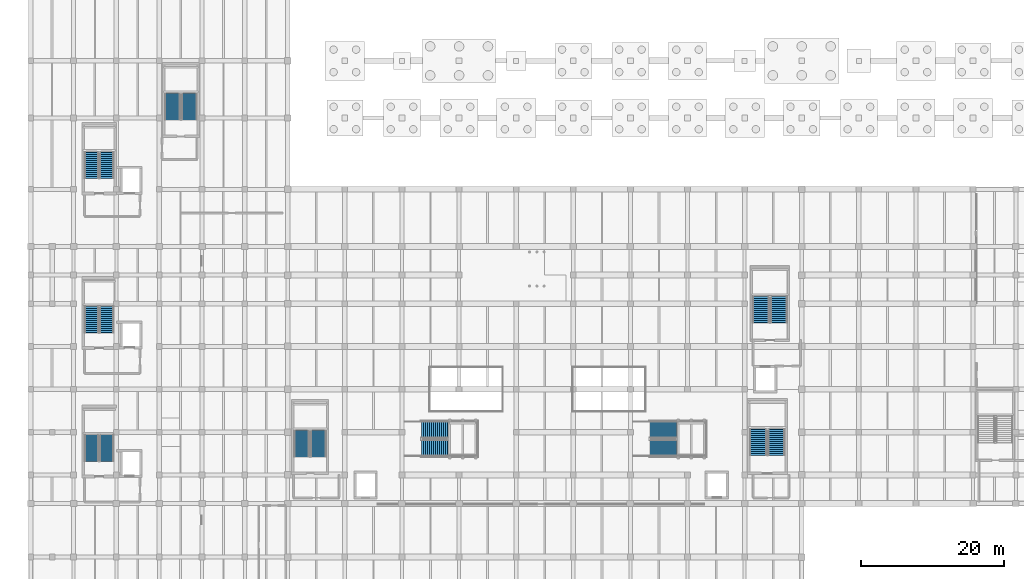
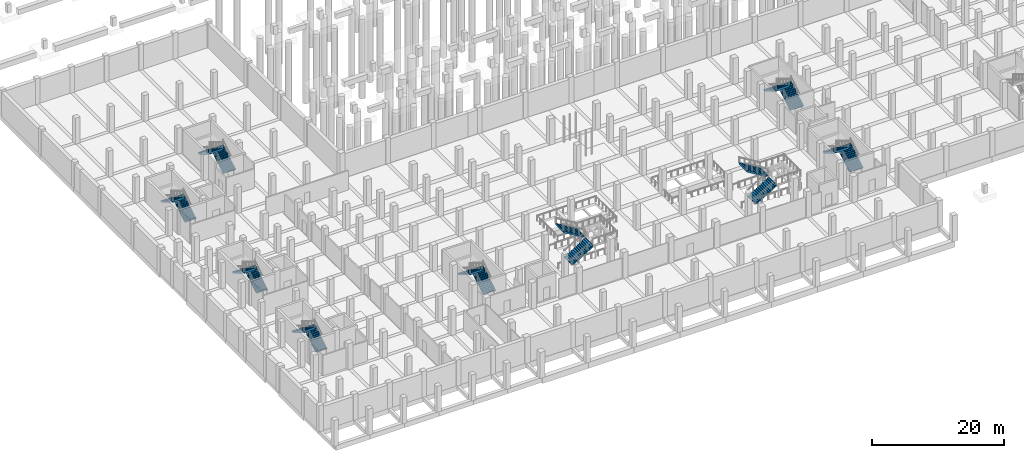
# One storey, part 26 of 36: 18 stair flights, 9 elements without a shape of their own.
"""IFC4 building model written with IfcOpenShell, lengths in metres."""

from ifc_helpers import new_model, si_unit, direction, frame, origin, place, context, subcontext, project, spatial, polyline, outline, extrude, material, type_object, element, aggregate, save


model = new_model("IFC4")

# Units and contexts
model_context = context("Model", 3, precision=1e-05, world=origin(), true_north=direction((0.0, 1.0)))
body_context = subcontext(model_context, "Body", "Model", "MODEL_VIEW")
ifc_project = project(units=[si_unit("LENGTHUNIT", "METRE"), si_unit("AREAUNIT", "SQUARE_METRE"), si_unit("VOLUMEUNIT", "CUBIC_METRE"), si_unit("PLANEANGLEUNIT", "RADIAN"), si_unit("MASSUNIT", "GRAM", prefix="KILO")], contexts=[model_context])

# Site, building, storey
site_placement = place(None, origin())
site = spatial("IfcSite", under=ifc_project, at=site_placement, CompositionType="ELEMENT")
building_placement = place(site_placement, origin())
building = spatial("IfcBuilding", under=site, at=building_placement, Name="Verrall Gate Interchange", CompositionType="ELEMENT")
storey_placement = place(building_placement, frame((0.0, 0.0, -4.800048828125)))
storey = spatial("IfcBuildingStorey", under=building, at=storey_placement, Name="B1", CompositionType="ELEMENT", Elevation=-4.800048828125)

# Stair, stair flights
ifc_material_1 = material(Name="Concrete CSA A23.1 40 MPa (Class N)", Category="concrete")
stair_type_1 = type_object("IfcStairType", Name="ST-T02 Straight-Flight Return Exit Stair W1950 H4800", PredefinedType="STRAIGHT_RUN_STAIR", material=ifc_material_1)
stair_1_placement = place(storey_placement, origin())
stair_1 = element("IfcStair", 1, at=stair_1_placement, inside=storey, type_object=stair_type_1, Name="B1 ST-01", PredefinedType="STRAIGHT_RUN_STAIR")
ifc_material_2 = material(Name="Concrete CSA A23.1 40 MPa (Class N)", Category="concrete")
stair_flight_type_1 = type_object("IfcStairFlightType", Name="SF-T02 Concrete Stair Flight W1950 R171 N28", PredefinedType="STRAIGHT", material=ifc_material_2)
stair_flight_1_placement = place(storey_placement, frame((10.675048828125, 17.949951171875, 0.0), z_axis=(0.0, 0.0, 1.0), x_axis=(0.0, 1.0, 0.0)))
stair_flight_1 = element("IfcStairFlight", 2, at=stair_flight_1_placement, type_object=stair_flight_type_1, Name="ST-01 flight 1", NumberOfRisers=14, NumberOfTreads=13, PredefinedType="STRAIGHT", RiserHeight=0.171428571, TreadLength=0.28, context=body_context, shape_type="SweptSolid", body=[
    extrude(outline(polyline([(-0.034912109375, -0.02001953125), (-0.034912109375, 0.0), (0.0, 0.0), (0.0, 0.17138671875), (0.280029296875, 0.17138671875), (0.280029296875, 0.3427734375), (0.56005859375, 0.3427734375), (0.56005859375, 0.514404296875), (0.840087890625, 0.514404296875), (0.840087890625, 0.685791015625), (1.1201171875, 0.685791015625), (1.1201171875, 0.857177734375), (1.39990234375, 0.857177734375), (1.39990234375, 1.028564453125), (1.679931640625, 1.028564453125), (1.679931640625, 1.199951171875), (1.9599609375, 1.199951171875), (1.9599609375, 1.371337890625), (2.239990234375, 1.371337890625), (2.239990234375, 1.54296875), (2.52001953125, 1.54296875), (2.52001953125, 1.71435546875), (2.800048828125, 1.71435546875), (2.800048828125, 1.8857421875), (3.080078125, 1.8857421875), (3.080078125, 2.05712890625), (3.360107421875, 2.05712890625), (3.360107421875, 2.228515625), (3.639892578125, 2.228515625), (3.639892578125, 2.39990234375), (3.675048828125, 2.39990234375), (3.675048828125, 1.994140625), (0.350341796875, -0.02001953125), (-0.034912109375, -0.02001953125)])), frame((0.0, 0.97509765625, 0.0), z_axis=(0.0, -1.0, 0.0), x_axis=(1.0, 0.0, 0.0)), (0.0, 0.0, 1.0), 1.949951171875),
])
stair_flight_2_placement = place(storey_placement, frame((8.52490234375, 21.590087890625, 2.400146484375), z_axis=(0.0, 0.0, 1.0), x_axis=(0.0, -1.0, 0.0)))
stair_flight_2 = element("IfcStairFlight", 3, at=stair_flight_2_placement, type_object=stair_flight_type_1, Name="ST-01 flight 2", NumberOfRisers=14, NumberOfTreads=13, PredefinedType="STRAIGHT", RiserHeight=0.171428571, TreadLength=0.28, context=body_context, shape_type="SweptSolid", body=[
    extrude(outline(polyline([(-0.034912109375, -0.02001953125), (-0.034912109375, 0.0), (0.0, 0.0), (0.0, 0.17138671875), (0.280029296875, 0.17138671875), (0.280029296875, 0.3427734375), (0.56005859375, 0.3427734375), (0.56005859375, 0.514404296875), (0.840087890625, 0.514404296875), (0.840087890625, 0.685791015625), (1.1201171875, 0.685791015625), (1.1201171875, 0.857177734375), (1.39990234375, 0.857177734375), (1.39990234375, 1.028564453125), (1.679931640625, 1.028564453125), (1.679931640625, 1.199951171875), (1.9599609375, 1.199951171875), (1.9599609375, 1.371337890625), (2.239990234375, 1.371337890625), (2.239990234375, 1.54296875), (2.52001953125, 1.54296875), (2.52001953125, 1.71435546875), (2.800048828125, 1.71435546875), (2.800048828125, 1.8857421875), (3.080078125, 1.8857421875), (3.080078125, 2.05712890625), (3.360107421875, 2.05712890625), (3.360107421875, 2.228515625), (3.639892578125, 2.228515625), (3.639892578125, 2.39990234375), (3.675048828125, 2.39990234375), (3.675048828125, 1.994140625), (0.350341796875, -0.02001953125), (-0.034912109375, -0.02001953125)])), frame((0.0, 0.97509765625, 0.0), z_axis=(0.0, -1.0, 0.0), x_axis=(1.0, 0.0, 0.0)), (0.0, 0.0, 1.0), 1.949951171875),
])
aggregate(stair_1, [stair_flight_1, stair_flight_2])

stair_2_placement = place(storey_placement, origin())
stair_2 = element("IfcStair", 4, at=stair_2_placement, inside=storey, type_object=stair_type_1, Name="B1 ST-02", PredefinedType="STRAIGHT_RUN_STAIR")
stair_flight_3_placement = place(storey_placement, frame((10.675048828125, 35.949951171875, 0.0), z_axis=(0.0, 0.0, 1.0), x_axis=(0.0, 1.0, 0.0)))
stair_flight_3 = element("IfcStairFlight", 5, at=stair_flight_3_placement, type_object=stair_flight_type_1, Name="ST-02 flight 1", NumberOfRisers=14, NumberOfTreads=13, PredefinedType="STRAIGHT", RiserHeight=0.171428571, TreadLength=0.28, context=body_context, shape_type="SweptSolid", body=[
    extrude(outline(polyline([(-0.034912109375, -0.02001953125), (-0.034912109375, 0.0), (0.0, 0.0), (0.0, 0.17138671875), (0.280029296875, 0.17138671875), (0.280029296875, 0.3427734375), (0.56005859375, 0.3427734375), (0.56005859375, 0.514404296875), (0.840087890625, 0.514404296875), (0.840087890625, 0.685791015625), (1.1201171875, 0.685791015625), (1.1201171875, 0.857177734375), (1.39990234375, 0.857177734375), (1.39990234375, 1.028564453125), (1.679931640625, 1.028564453125), (1.679931640625, 1.199951171875), (1.9599609375, 1.199951171875), (1.9599609375, 1.371337890625), (2.239990234375, 1.371337890625), (2.239990234375, 1.54296875), (2.52001953125, 1.54296875), (2.52001953125, 1.71435546875), (2.800048828125, 1.71435546875), (2.800048828125, 1.8857421875), (3.080078125, 1.8857421875), (3.080078125, 2.05712890625), (3.360107421875, 2.05712890625), (3.360107421875, 2.228515625), (3.639892578125, 2.228515625), (3.639892578125, 2.39990234375), (3.675048828125, 2.39990234375), (3.675048828125, 1.994140625), (0.350341796875, -0.02001953125), (-0.034912109375, -0.02001953125)])), frame((0.0, 0.97509765625, 0.0), z_axis=(0.0, -1.0, 0.0), x_axis=(1.0, 0.0, 0.0)), (0.0, 0.0, 1.0), 1.949951171875),
])
stair_flight_4_placement = place(storey_placement, frame((8.52490234375, 39.590087890625, 2.400146484375), z_axis=(0.0, 0.0, 1.0), x_axis=(0.0, -1.0, 0.0)))
stair_flight_4 = element("IfcStairFlight", 6, at=stair_flight_4_placement, type_object=stair_flight_type_1, Name="ST-02 flight 2", NumberOfRisers=14, NumberOfTreads=13, PredefinedType="STRAIGHT", RiserHeight=0.171428571, TreadLength=0.28, context=body_context, shape_type="SweptSolid", body=[
    extrude(outline(polyline([(-0.034912109375, -0.02001953125), (-0.034912109375, 0.0), (0.0, 0.0), (0.0, 0.17138671875), (0.280029296875, 0.17138671875), (0.280029296875, 0.3427734375), (0.56005859375, 0.3427734375), (0.56005859375, 0.514404296875), (0.840087890625, 0.514404296875), (0.840087890625, 0.685791015625), (1.1201171875, 0.685791015625), (1.1201171875, 0.857177734375), (1.39990234375, 0.857177734375), (1.39990234375, 1.028564453125), (1.679931640625, 1.028564453125), (1.679931640625, 1.199951171875), (1.9599609375, 1.199951171875), (1.9599609375, 1.371337890625), (2.239990234375, 1.371337890625), (2.239990234375, 1.54296875), (2.52001953125, 1.54296875), (2.52001953125, 1.71435546875), (2.800048828125, 1.71435546875), (2.800048828125, 1.8857421875), (3.080078125, 1.8857421875), (3.080078125, 2.05712890625), (3.360107421875, 2.05712890625), (3.360107421875, 2.228515625), (3.639892578125, 2.228515625), (3.639892578125, 2.39990234375), (3.675048828125, 2.39990234375), (3.675048828125, 1.994140625), (0.350341796875, -0.02001953125), (-0.034912109375, -0.02001953125)])), frame((0.0, 0.97509765625, 0.0), z_axis=(0.0, -1.0, 0.0), x_axis=(1.0, 0.0, 0.0)), (0.0, 0.0, 1.0), 1.949951171875),
])
aggregate(stair_2, [stair_flight_3, stair_flight_4])

stair_3_placement = place(storey_placement, origin())
stair_3 = element("IfcStair", 7, at=stair_3_placement, inside=storey, type_object=stair_type_1, Name="B1 ST-03", PredefinedType="STRAIGHT_RUN_STAIR")
stair_flight_5_placement = place(storey_placement, frame((10.675048828125, 57.550048828125, 0.0), z_axis=(0.0, 0.0, 1.0), x_axis=(0.0, 1.0, 0.0)))
stair_flight_5 = element("IfcStairFlight", 8, at=stair_flight_5_placement, type_object=stair_flight_type_1, Name="ST-03 flight 1", NumberOfRisers=14, NumberOfTreads=13, PredefinedType="STRAIGHT", RiserHeight=0.171428571, TreadLength=0.28, context=body_context, shape_type="SweptSolid", body=[
    extrude(outline(polyline([(-0.034912109375, -0.02001953125), (-0.034912109375, 0.0), (0.0, 0.0), (0.0, 0.17138671875), (0.280029296875, 0.17138671875), (0.280029296875, 0.3427734375), (0.56005859375, 0.3427734375), (0.56005859375, 0.514404296875), (0.840087890625, 0.514404296875), (0.840087890625, 0.685791015625), (1.1201171875, 0.685791015625), (1.1201171875, 0.857177734375), (1.39990234375, 0.857177734375), (1.39990234375, 1.028564453125), (1.679931640625, 1.028564453125), (1.679931640625, 1.199951171875), (1.9599609375, 1.199951171875), (1.9599609375, 1.371337890625), (2.239990234375, 1.371337890625), (2.239990234375, 1.54296875), (2.52001953125, 1.54296875), (2.52001953125, 1.71435546875), (2.800048828125, 1.71435546875), (2.800048828125, 1.8857421875), (3.080078125, 1.8857421875), (3.080078125, 2.05712890625), (3.360107421875, 2.05712890625), (3.360107421875, 2.228515625), (3.639892578125, 2.228515625), (3.639892578125, 2.39990234375), (3.675048828125, 2.39990234375), (3.675048828125, 1.994140625), (0.350341796875, -0.02001953125), (-0.034912109375, -0.02001953125)])), frame((0.0, 0.97509765625, 0.0), z_axis=(0.0, -1.0, 0.0), x_axis=(1.0, 0.0, 0.0)), (0.0, 0.0, 1.0), 1.949951171875),
])
stair_flight_6_placement = place(storey_placement, frame((8.52490234375, 61.18994140625, 2.400146484375), z_axis=(0.0, 0.0, 1.0), x_axis=(0.0, -1.0, 0.0)))
stair_flight_6 = element("IfcStairFlight", 9, at=stair_flight_6_placement, type_object=stair_flight_type_1, Name="ST-03 flight 2", NumberOfRisers=14, NumberOfTreads=13, PredefinedType="STRAIGHT", RiserHeight=0.171428571, TreadLength=0.28, context=body_context, shape_type="SweptSolid", body=[
    extrude(outline(polyline([(-0.034912109375, -0.02001953125), (-0.034912109375, 0.0), (0.0, 0.0), (0.0, 0.17138671875), (0.280029296875, 0.17138671875), (0.280029296875, 0.3427734375), (0.56005859375, 0.3427734375), (0.56005859375, 0.514404296875), (0.840087890625, 0.514404296875), (0.840087890625, 0.685791015625), (1.1201171875, 0.685791015625), (1.1201171875, 0.857177734375), (1.39990234375, 0.857177734375), (1.39990234375, 1.028564453125), (1.679931640625, 1.028564453125), (1.679931640625, 1.199951171875), (1.9599609375, 1.199951171875), (1.9599609375, 1.371337890625), (2.239990234375, 1.371337890625), (2.239990234375, 1.54296875), (2.52001953125, 1.54296875), (2.52001953125, 1.71435546875), (2.800048828125, 1.71435546875), (2.800048828125, 1.8857421875), (3.080078125, 1.8857421875), (3.080078125, 2.05712890625), (3.360107421875, 2.05712890625), (3.360107421875, 2.228515625), (3.639892578125, 2.228515625), (3.639892578125, 2.39990234375), (3.675048828125, 2.39990234375), (3.675048828125, 1.994140625), (0.350341796875, -0.02001953125), (-0.034912109375, -0.02001953125)])), frame((0.0, 0.97509765625, 0.0), z_axis=(0.0, -1.0, 0.0), x_axis=(1.0, 0.0, 0.0)), (0.0, 0.0, 1.0), 1.949951171875),
])
aggregate(stair_3, [stair_flight_5, stair_flight_6])

ifc_material_3 = material(Name="Concrete CSA A23.1 40 MPa (Class N)", Category="concrete")
stair_type_2 = type_object("IfcStairType", Name="ST-T08 Straight-Flight Return Exit Stair W2150 H4800", PredefinedType="STRAIGHT_RUN_STAIR", material=ifc_material_3)
stair_4_placement = place(storey_placement, origin())
stair_4 = element("IfcStair", 10, at=stair_4_placement, inside=storey, type_object=stair_type_2, Name="B1 ST-04", PredefinedType="STRAIGHT_RUN_STAIR")
ifc_material_4 = material(Name="Concrete CSA A23.1 40 MPa (Class N)", Category="concrete")
stair_flight_type_2 = type_object("IfcStairFlightType", Name="SF-T08 Concrete Stair Flight W2150 R171 N28", PredefinedType="STRAIGHT", material=ifc_material_4)
stair_flight_7_placement = place(storey_placement, frame((22.22509765625, 65.75, 0.0), z_axis=(0.0, 0.0, 1.0), x_axis=(0.0, 1.0, 0.0)))
stair_flight_7 = element("IfcStairFlight", 11, at=stair_flight_7_placement, type_object=stair_flight_type_2, Name="ST-04 flight 1", NumberOfRisers=14, NumberOfTreads=13, PredefinedType="STRAIGHT", RiserHeight=0.171428571, TreadLength=0.28, context=body_context, shape_type="SweptSolid", body=[
    extrude(outline(polyline([(-0.034912109375, -0.02001953125), (-0.034912109375, 0.0), (0.0, 0.0), (0.0, 0.17138671875), (0.280029296875, 0.17138671875), (0.280029296875, 0.3427734375), (0.56005859375, 0.3427734375), (0.56005859375, 0.514404296875), (0.840087890625, 0.514404296875), (0.840087890625, 0.685791015625), (1.1201171875, 0.685791015625), (1.1201171875, 0.857177734375), (1.39990234375, 0.857177734375), (1.39990234375, 1.028564453125), (1.679931640625, 1.028564453125), (1.679931640625, 1.199951171875), (1.9599609375, 1.199951171875), (1.9599609375, 1.371337890625), (2.239990234375, 1.371337890625), (2.239990234375, 1.54296875), (2.52001953125, 1.54296875), (2.52001953125, 1.71435546875), (2.800048828125, 1.71435546875), (2.800048828125, 1.8857421875), (3.080078125, 1.8857421875), (3.080078125, 2.05712890625), (3.360107421875, 2.05712890625), (3.360107421875, 2.228515625), (3.639892578125, 2.228515625), (3.639892578125, 2.39990234375), (3.675048828125, 2.39990234375), (3.675048828125, 1.994140625), (0.350341796875, -0.02001953125), (-0.034912109375, -0.02001953125)])), frame((0.0, 1.074951171875, 0.0), z_axis=(0.0, -1.0, 0.0), x_axis=(1.0, 0.0, 0.0)), (0.0, 0.0, 1.0), 2.14990234375),
])
stair_flight_8_placement = place(storey_placement, frame((19.875, 69.389892578125, 2.400146484375), z_axis=(0.0, 0.0, 1.0), x_axis=(0.0, -1.0, 0.0)))
stair_flight_8 = element("IfcStairFlight", 12, at=stair_flight_8_placement, type_object=stair_flight_type_2, Name="ST-04 flight 2", NumberOfRisers=14, NumberOfTreads=13, PredefinedType="STRAIGHT", RiserHeight=0.171428571, TreadLength=0.28, context=body_context, shape_type="SweptSolid", body=[
    extrude(outline(polyline([(-0.034912109375, -0.02001953125), (-0.034912109375, 0.0), (0.0, 0.0), (0.0, 0.17138671875), (0.280029296875, 0.17138671875), (0.280029296875, 0.3427734375), (0.56005859375, 0.3427734375), (0.56005859375, 0.514404296875), (0.840087890625, 0.514404296875), (0.840087890625, 0.685791015625), (1.1201171875, 0.685791015625), (1.1201171875, 0.857177734375), (1.39990234375, 0.857177734375), (1.39990234375, 1.028564453125), (1.679931640625, 1.028564453125), (1.679931640625, 1.199951171875), (1.9599609375, 1.199951171875), (1.9599609375, 1.371337890625), (2.239990234375, 1.371337890625), (2.239990234375, 1.54296875), (2.52001953125, 1.54296875), (2.52001953125, 1.71435546875), (2.800048828125, 1.71435546875), (2.800048828125, 1.8857421875), (3.080078125, 1.8857421875), (3.080078125, 2.05712890625), (3.360107421875, 2.05712890625), (3.360107421875, 2.228515625), (3.639892578125, 2.228515625), (3.639892578125, 2.39990234375), (3.675048828125, 2.39990234375), (3.675048828125, 1.994140625), (0.350341796875, -0.02001953125), (-0.034912109375, -0.02001953125)])), frame((0.0, 1.074951171875, 0.0), z_axis=(0.0, -1.0, 0.0), x_axis=(1.0, 0.0, 0.0)), (0.0, 0.0, 1.0), 2.14990234375),
])
aggregate(stair_4, [stair_flight_7, stair_flight_8])

stair_5_placement = place(storey_placement, origin())
stair_5 = element("IfcStair", 13, at=stair_5_placement, inside=storey, type_object=stair_type_2, Name="B1 ST-05", PredefinedType="STRAIGHT_RUN_STAIR")
stair_flight_9_placement = place(storey_placement, frame((40.324951171875, 18.550048828125, 0.0), z_axis=(0.0, 0.0, 1.0), x_axis=(0.0, 1.0, 0.0)))
stair_flight_9 = element("IfcStairFlight", 14, at=stair_flight_9_placement, type_object=stair_flight_type_2, Name="ST-05 flight 1", NumberOfRisers=14, NumberOfTreads=13, PredefinedType="STRAIGHT", RiserHeight=0.171428571, TreadLength=0.28, context=body_context, shape_type="SweptSolid", body=[
    extrude(outline(polyline([(-0.034912109375, -0.02001953125), (-0.034912109375, 0.0), (0.0, 0.0), (0.0, 0.17138671875), (0.280029296875, 0.17138671875), (0.280029296875, 0.3427734375), (0.56005859375, 0.3427734375), (0.56005859375, 0.514404296875), (0.840087890625, 0.514404296875), (0.840087890625, 0.685791015625), (1.1201171875, 0.685791015625), (1.1201171875, 0.857177734375), (1.39990234375, 0.857177734375), (1.39990234375, 1.028564453125), (1.679931640625, 1.028564453125), (1.679931640625, 1.199951171875), (1.9599609375, 1.199951171875), (1.9599609375, 1.371337890625), (2.239990234375, 1.371337890625), (2.239990234375, 1.54296875), (2.52001953125, 1.54296875), (2.52001953125, 1.71435546875), (2.800048828125, 1.71435546875), (2.800048828125, 1.8857421875), (3.080078125, 1.8857421875), (3.080078125, 2.05712890625), (3.360107421875, 2.05712890625), (3.360107421875, 2.228515625), (3.639892578125, 2.228515625), (3.639892578125, 2.39990234375), (3.675048828125, 2.39990234375), (3.675048828125, 1.994140625), (0.350341796875, -0.02001953125), (-0.034912109375, -0.02001953125)])), frame((0.0, 1.074951171875, 0.0), z_axis=(0.0, -1.0, 0.0), x_axis=(1.0, 0.0, 0.0)), (0.0, 0.0, 1.0), 2.14990234375),
])
stair_flight_10_placement = place(storey_placement, frame((37.97509765625, 22.18994140625, 2.400146484375), z_axis=(0.0, 0.0, 1.0), x_axis=(0.0, -1.0, 0.0)))
stair_flight_10 = element("IfcStairFlight", 15, at=stair_flight_10_placement, type_object=stair_flight_type_2, Name="ST-05 flight 2", NumberOfRisers=14, NumberOfTreads=13, PredefinedType="STRAIGHT", RiserHeight=0.171428571, TreadLength=0.28, context=body_context, shape_type="SweptSolid", body=[
    extrude(outline(polyline([(-0.034912109375, -0.02001953125), (-0.034912109375, 0.0), (0.0, 0.0), (0.0, 0.17138671875), (0.280029296875, 0.17138671875), (0.280029296875, 0.3427734375), (0.56005859375, 0.3427734375), (0.56005859375, 0.514404296875), (0.840087890625, 0.514404296875), (0.840087890625, 0.685791015625), (1.1201171875, 0.685791015625), (1.1201171875, 0.857177734375), (1.39990234375, 0.857177734375), (1.39990234375, 1.028564453125), (1.679931640625, 1.028564453125), (1.679931640625, 1.199951171875), (1.9599609375, 1.199951171875), (1.9599609375, 1.371337890625), (2.239990234375, 1.371337890625), (2.239990234375, 1.54296875), (2.52001953125, 1.54296875), (2.52001953125, 1.71435546875), (2.800048828125, 1.71435546875), (2.800048828125, 1.8857421875), (3.080078125, 1.8857421875), (3.080078125, 2.05712890625), (3.360107421875, 2.05712890625), (3.360107421875, 2.228515625), (3.639892578125, 2.228515625), (3.639892578125, 2.39990234375), (3.675048828125, 2.39990234375), (3.675048828125, 1.994140625), (0.350341796875, -0.02001953125), (-0.034912109375, -0.02001953125)])), frame((0.0, 1.074951171875, 0.0), z_axis=(0.0, -1.0, 0.0), x_axis=(1.0, 0.0, 0.0)), (0.0, 0.0, 1.0), 2.14990234375),
])
aggregate(stair_5, [stair_flight_9, stair_flight_10])

ifc_material_5 = material(Name="Concrete CSA A23.1 40 MPa (Class N)", Category="concrete")
stair_type_3 = type_object("IfcStairType", Name="ST-T12 Straight-Flight Return Exit Stair W2350 H4800", PredefinedType="STRAIGHT_RUN_STAIR", material=ifc_material_5)
stair_6_placement = place(storey_placement, origin())
stair_6 = element("IfcStair", 16, at=stair_6_placement, inside=storey, type_object=stair_type_3, Name="B1 ST-06", PredefinedType="STRAIGHT_RUN_STAIR")
ifc_material_6 = material(Name="Concrete CSA A23.1 40 MPa (Class N)", Category="concrete")
stair_flight_type_3 = type_object("IfcStairFlightType", Name="SF-T12 Concrete Stair Flight W2350 R171 N28", PredefinedType="STRAIGHT", material=ifc_material_6)
stair_flight_11_placement = place(storey_placement, frame((104.465087890625, 18.75, 0.0), z_axis=(0.0, 0.0, 1.0), x_axis=(0.0, 1.0, 0.0)))
stair_flight_11 = element("IfcStairFlight", 17, at=stair_flight_11_placement, type_object=stair_flight_type_3, Name="ST-06 flight 1", NumberOfRisers=14, NumberOfTreads=13, PredefinedType="STRAIGHT", RiserHeight=0.171428571, TreadLength=0.28, context=body_context, shape_type="SweptSolid", body=[
    extrude(outline(polyline([(-0.034912109375, -0.02001953125), (-0.034912109375, 0.0), (0.0, 0.0), (0.0, 0.17138671875), (0.280029296875, 0.17138671875), (0.280029296875, 0.3427734375), (0.56005859375, 0.3427734375), (0.56005859375, 0.514404296875), (0.840087890625, 0.514404296875), (0.840087890625, 0.685791015625), (1.1201171875, 0.685791015625), (1.1201171875, 0.857177734375), (1.39990234375, 0.857177734375), (1.39990234375, 1.028564453125), (1.679931640625, 1.028564453125), (1.679931640625, 1.199951171875), (1.9599609375, 1.199951171875), (1.9599609375, 1.371337890625), (2.239990234375, 1.371337890625), (2.239990234375, 1.54296875), (2.52001953125, 1.54296875), (2.52001953125, 1.71435546875), (2.800048828125, 1.71435546875), (2.800048828125, 1.8857421875), (3.080078125, 1.8857421875), (3.080078125, 2.05712890625), (3.360107421875, 2.05712890625), (3.360107421875, 2.228515625), (3.639892578125, 2.228515625), (3.639892578125, 2.39990234375), (3.675048828125, 2.39990234375), (3.675048828125, 1.994140625), (0.350341796875, -0.02001953125), (-0.034912109375, -0.02001953125)])), frame((0.0, 1.175048828125, 0.0), z_axis=(0.0, -1.0, 0.0), x_axis=(1.0, 0.0, 0.0)), (0.0, 0.0, 1.0), 2.35009765625),
])
stair_flight_12_placement = place(storey_placement, frame((101.9150390625, 22.389892578125, 2.400146484375), z_axis=(0.0, 0.0, 1.0), x_axis=(0.0, -1.0, 0.0)))
stair_flight_12 = element("IfcStairFlight", 18, at=stair_flight_12_placement, type_object=stair_flight_type_3, Name="ST-06 flight 2", NumberOfRisers=14, NumberOfTreads=13, PredefinedType="STRAIGHT", RiserHeight=0.171428571, TreadLength=0.28, context=body_context, shape_type="SweptSolid", body=[
    extrude(outline(polyline([(-0.034912109375, -0.02001953125), (-0.034912109375, 0.0), (0.0, 0.0), (0.0, 0.17138671875), (0.280029296875, 0.17138671875), (0.280029296875, 0.3427734375), (0.56005859375, 0.3427734375), (0.56005859375, 0.514404296875), (0.840087890625, 0.514404296875), (0.840087890625, 0.685791015625), (1.1201171875, 0.685791015625), (1.1201171875, 0.857177734375), (1.39990234375, 0.857177734375), (1.39990234375, 1.028564453125), (1.679931640625, 1.028564453125), (1.679931640625, 1.199951171875), (1.9599609375, 1.199951171875), (1.9599609375, 1.371337890625), (2.239990234375, 1.371337890625), (2.239990234375, 1.54296875), (2.52001953125, 1.54296875), (2.52001953125, 1.71435546875), (2.800048828125, 1.71435546875), (2.800048828125, 1.8857421875), (3.080078125, 1.8857421875), (3.080078125, 2.05712890625), (3.360107421875, 2.05712890625), (3.360107421875, 2.228515625), (3.639892578125, 2.228515625), (3.639892578125, 2.39990234375), (3.675048828125, 2.39990234375), (3.675048828125, 1.994140625), (0.350341796875, -0.02001953125), (-0.034912109375, -0.02001953125)])), frame((0.0, 1.175048828125, 0.0), z_axis=(0.0, -1.0, 0.0), x_axis=(1.0, 0.0, 0.0)), (0.0, 0.0, 1.0), 2.35009765625),
])
aggregate(stair_6, [stair_flight_11, stair_flight_12])

stair_7_placement = place(storey_placement, origin())
stair_7 = element("IfcStair", 19, at=stair_7_placement, inside=storey, type_object=stair_type_3, Name="B1 ST-07", PredefinedType="STRAIGHT_RUN_STAIR")
stair_flight_13_placement = place(storey_placement, frame((104.824951171875, 37.35009765625, 0.0), z_axis=(0.0, 0.0, 1.0), x_axis=(0.0, 1.0, 0.0)))
stair_flight_13 = element("IfcStairFlight", 20, at=stair_flight_13_placement, type_object=stair_flight_type_3, Name="ST-07 flight 1", NumberOfRisers=14, NumberOfTreads=13, PredefinedType="STRAIGHT", RiserHeight=0.171428571, TreadLength=0.28, context=body_context, shape_type="SweptSolid", body=[
    extrude(outline(polyline([(-0.034912109375, -0.02001953125), (-0.034912109375, 0.0), (0.0, 0.0), (0.0, 0.17138671875), (0.280029296875, 0.17138671875), (0.280029296875, 0.3427734375), (0.56005859375, 0.3427734375), (0.56005859375, 0.514404296875), (0.840087890625, 0.514404296875), (0.840087890625, 0.685791015625), (1.1201171875, 0.685791015625), (1.1201171875, 0.857177734375), (1.39990234375, 0.857177734375), (1.39990234375, 1.028564453125), (1.679931640625, 1.028564453125), (1.679931640625, 1.199951171875), (1.9599609375, 1.199951171875), (1.9599609375, 1.371337890625), (2.239990234375, 1.371337890625), (2.239990234375, 1.54296875), (2.52001953125, 1.54296875), (2.52001953125, 1.71435546875), (2.800048828125, 1.71435546875), (2.800048828125, 1.8857421875), (3.080078125, 1.8857421875), (3.080078125, 2.05712890625), (3.360107421875, 2.05712890625), (3.360107421875, 2.228515625), (3.639892578125, 2.228515625), (3.639892578125, 2.39990234375), (3.675048828125, 2.39990234375), (3.675048828125, 1.994140625), (0.350341796875, -0.02001953125), (-0.034912109375, -0.02001953125)])), frame((0.0, 1.175048828125, 0.0), z_axis=(0.0, -1.0, 0.0), x_axis=(1.0, 0.0, 0.0)), (0.0, 0.0, 1.0), 2.35009765625),
])
stair_flight_14_placement = place(storey_placement, frame((102.27490234375, 40.989990234375, 2.400146484375), z_axis=(0.0, 0.0, 1.0), x_axis=(0.0, -1.0, 0.0)))
stair_flight_14 = element("IfcStairFlight", 21, at=stair_flight_14_placement, type_object=stair_flight_type_3, Name="ST-07 flight 2", NumberOfRisers=14, NumberOfTreads=13, PredefinedType="STRAIGHT", RiserHeight=0.171428571, TreadLength=0.28, context=body_context, shape_type="SweptSolid", body=[
    extrude(outline(polyline([(-0.034912109375, -0.02001953125), (-0.034912109375, 0.0), (0.0, 0.0), (0.0, 0.17138671875), (0.280029296875, 0.17138671875), (0.280029296875, 0.3427734375), (0.56005859375, 0.3427734375), (0.56005859375, 0.514404296875), (0.840087890625, 0.514404296875), (0.840087890625, 0.685791015625), (1.1201171875, 0.685791015625), (1.1201171875, 0.857177734375), (1.39990234375, 0.857177734375), (1.39990234375, 1.028564453125), (1.679931640625, 1.028564453125), (1.679931640625, 1.199951171875), (1.9599609375, 1.199951171875), (1.9599609375, 1.371337890625), (2.239990234375, 1.371337890625), (2.239990234375, 1.54296875), (2.52001953125, 1.54296875), (2.52001953125, 1.71435546875), (2.800048828125, 1.71435546875), (2.800048828125, 1.8857421875), (3.080078125, 1.8857421875), (3.080078125, 2.05712890625), (3.360107421875, 2.05712890625), (3.360107421875, 2.228515625), (3.639892578125, 2.228515625), (3.639892578125, 2.39990234375), (3.675048828125, 2.39990234375), (3.675048828125, 1.994140625), (0.350341796875, -0.02001953125), (-0.034912109375, -0.02001953125)])), frame((0.0, 1.175048828125, 0.0), z_axis=(0.0, -1.0, 0.0), x_axis=(1.0, 0.0, 0.0)), (0.0, 0.0, 1.0), 2.35009765625),
])
aggregate(stair_7, [stair_flight_13, stair_flight_14])

stair_8_placement = place(storey_placement, origin())
stair_8 = element("IfcStair", 22, at=stair_8_placement, inside=storey, type_object=stair_type_3, Name="B1 ST-10", PredefinedType="STRAIGHT_RUN_STAIR")
stair_flight_15_placement = place(storey_placement, frame((54.75, 19.77490234375, 0.0), z_axis=(0.0, 0.0, 1.0), x_axis=(1.0, 0.0, 0.0)))
stair_flight_15 = element("IfcStairFlight", 23, at=stair_flight_15_placement, type_object=stair_flight_type_3, Name="ST-10 flight 1", NumberOfRisers=14, NumberOfTreads=13, PredefinedType="STRAIGHT", RiserHeight=0.171428571, TreadLength=0.28, context=body_context, shape_type="SweptSolid", body=[
    extrude(outline(polyline([(-0.034912109375, -0.02001953125), (-0.034912109375, 0.0), (0.0, 0.0), (0.0, 0.17138671875), (0.280029296875, 0.17138671875), (0.280029296875, 0.3427734375), (0.56005859375, 0.3427734375), (0.56005859375, 0.514404296875), (0.840087890625, 0.514404296875), (0.840087890625, 0.685791015625), (1.1201171875, 0.685791015625), (1.1201171875, 0.857177734375), (1.39990234375, 0.857177734375), (1.39990234375, 1.028564453125), (1.679931640625, 1.028564453125), (1.679931640625, 1.199951171875), (1.9599609375, 1.199951171875), (1.9599609375, 1.371337890625), (2.239990234375, 1.371337890625), (2.239990234375, 1.54296875), (2.52001953125, 1.54296875), (2.52001953125, 1.71435546875), (2.800048828125, 1.71435546875), (2.800048828125, 1.8857421875), (3.080078125, 1.8857421875), (3.080078125, 2.05712890625), (3.360107421875, 2.05712890625), (3.360107421875, 2.228515625), (3.639892578125, 2.228515625), (3.639892578125, 2.39990234375), (3.675048828125, 2.39990234375), (3.675048828125, 1.970703125), (0.388671875, -0.02001953125), (-0.034912109375, -0.02001953125)])), frame((0.0, 1.175048828125, 0.0), z_axis=(0.0, -1.0, 0.0), x_axis=(1.0, 0.0, 0.0)), (0.0, 0.0, 1.0), 2.35009765625),
])
stair_flight_16_placement = place(storey_placement, frame((58.389892578125, 22.324951171875, 2.400146484375), z_axis=(0.0, 0.0, 1.0), x_axis=(-1.0, 0.0, 0.0)))
stair_flight_16 = element("IfcStairFlight", 24, at=stair_flight_16_placement, type_object=stair_flight_type_3, Name="ST-10 flight 2", NumberOfRisers=14, NumberOfTreads=13, PredefinedType="STRAIGHT", RiserHeight=0.171428571, TreadLength=0.28, context=body_context, shape_type="SweptSolid", body=[
    extrude(outline(polyline([(-0.034912109375, -0.02001953125), (-0.034912109375, 0.0), (0.0, 0.0), (0.0, 0.17138671875), (0.280029296875, 0.17138671875), (0.280029296875, 0.3427734375), (0.56005859375, 0.3427734375), (0.56005859375, 0.514404296875), (0.840087890625, 0.514404296875), (0.840087890625, 0.685791015625), (1.1201171875, 0.685791015625), (1.1201171875, 0.857177734375), (1.39990234375, 0.857177734375), (1.39990234375, 1.028564453125), (1.679931640625, 1.028564453125), (1.679931640625, 1.199951171875), (1.9599609375, 1.199951171875), (1.9599609375, 1.371337890625), (2.239990234375, 1.371337890625), (2.239990234375, 1.54296875), (2.52001953125, 1.54296875), (2.52001953125, 1.71435546875), (2.800048828125, 1.71435546875), (2.800048828125, 1.8857421875), (3.080078125, 1.8857421875), (3.080078125, 2.05712890625), (3.360107421875, 2.05712890625), (3.360107421875, 2.228515625), (3.639892578125, 2.228515625), (3.639892578125, 2.39990234375), (3.675048828125, 2.39990234375), (3.675048828125, 1.970703125), (0.388671875, -0.02001953125), (-0.034912109375, -0.02001953125)])), frame((0.0, 1.175048828125, 0.0), z_axis=(0.0, -1.0, 0.0), x_axis=(1.0, 0.0, 0.0)), (0.0, 0.0, 1.0), 2.35009765625),
])
aggregate(stair_8, [stair_flight_15, stair_flight_16])

stair_9_placement = place(storey_placement, origin())
stair_9 = element("IfcStair", 25, at=stair_9_placement, inside=storey, type_object=stair_type_3, Name="B1 ST-11", PredefinedType="STRAIGHT_RUN_STAIR")
stair_flight_17_placement = place(storey_placement, frame((86.75, 19.77490234375, 0.0), z_axis=(0.0, 0.0, 1.0), x_axis=(1.0, 0.0, 0.0)))
stair_flight_17 = element("IfcStairFlight", 26, at=stair_flight_17_placement, type_object=stair_flight_type_3, Name="ST-11 flight 1", NumberOfRisers=14, NumberOfTreads=13, PredefinedType="STRAIGHT", RiserHeight=0.171428571, TreadLength=0.28, context=body_context, shape_type="SweptSolid", body=[
    extrude(outline(polyline([(-0.034912109375, -0.02001953125), (-0.034912109375, 0.0), (0.0, 0.0), (0.0, 0.17138671875), (0.280029296875, 0.17138671875), (0.280029296875, 0.3427734375), (0.56005859375, 0.3427734375), (0.56005859375, 0.514404296875), (0.840087890625, 0.514404296875), (0.840087890625, 0.685791015625), (1.1201171875, 0.685791015625), (1.1201171875, 0.857177734375), (1.39990234375, 0.857177734375), (1.39990234375, 1.028564453125), (1.679931640625, 1.028564453125), (1.679931640625, 1.199951171875), (1.9599609375, 1.199951171875), (1.9599609375, 1.371337890625), (2.239990234375, 1.371337890625), (2.239990234375, 1.54296875), (2.52001953125, 1.54296875), (2.52001953125, 1.71435546875), (2.800048828125, 1.71435546875), (2.800048828125, 1.8857421875), (3.080078125, 1.8857421875), (3.080078125, 2.05712890625), (3.360107421875, 2.05712890625), (3.360107421875, 2.228515625), (3.639892578125, 2.228515625), (3.639892578125, 2.39990234375), (3.675048828125, 2.39990234375), (3.675048828125, 1.970703125), (0.388671875, -0.02001953125), (-0.034912109375, -0.02001953125)])), frame((0.0, 1.175048828125, 0.0), z_axis=(0.0, -1.0, 0.0), x_axis=(1.0, 0.0, 0.0)), (0.0, 0.0, 1.0), 2.35009765625),
])
stair_flight_18_placement = place(storey_placement, frame((90.389892578125, 22.324951171875, 2.400146484375), z_axis=(0.0, 0.0, 1.0), x_axis=(-1.0, 0.0, 0.0)))
stair_flight_18 = element("IfcStairFlight", 27, at=stair_flight_18_placement, type_object=stair_flight_type_3, Name="ST-11 flight 2", NumberOfRisers=14, NumberOfTreads=13, PredefinedType="STRAIGHT", RiserHeight=0.171428571, TreadLength=0.28, context=body_context, shape_type="SweptSolid", body=[
    extrude(outline(polyline([(-0.034912109375, -0.02001953125), (-0.034912109375, 0.0), (0.0, 0.0), (0.0, 0.17138671875), (0.280029296875, 0.17138671875), (0.280029296875, 0.3427734375), (0.56005859375, 0.3427734375), (0.56005859375, 0.514404296875), (0.840087890625, 0.514404296875), (0.840087890625, 0.685791015625), (1.1201171875, 0.685791015625), (1.1201171875, 0.857177734375), (1.39990234375, 0.857177734375), (1.39990234375, 1.028564453125), (1.679931640625, 1.028564453125), (1.679931640625, 1.199951171875), (1.9599609375, 1.199951171875), (1.9599609375, 1.371337890625), (2.239990234375, 1.371337890625), (2.239990234375, 1.54296875), (2.52001953125, 1.54296875), (2.52001953125, 1.71435546875), (2.800048828125, 1.71435546875), (2.800048828125, 1.8857421875), (3.080078125, 1.8857421875), (3.080078125, 2.05712890625), (3.360107421875, 2.05712890625), (3.360107421875, 2.228515625), (3.639892578125, 2.228515625), (3.639892578125, 2.39990234375), (3.675048828125, 2.39990234375), (3.675048828125, 1.970703125), (0.388671875, -0.02001953125), (-0.034912109375, -0.02001953125)])), frame((0.0, 1.175048828125, 0.0), z_axis=(0.0, -1.0, 0.0), x_axis=(1.0, 0.0, 0.0)), (0.0, 0.0, 1.0), 2.35009765625),
])
aggregate(stair_9, [stair_flight_17, stair_flight_18])

save(model, "model.ifc")
